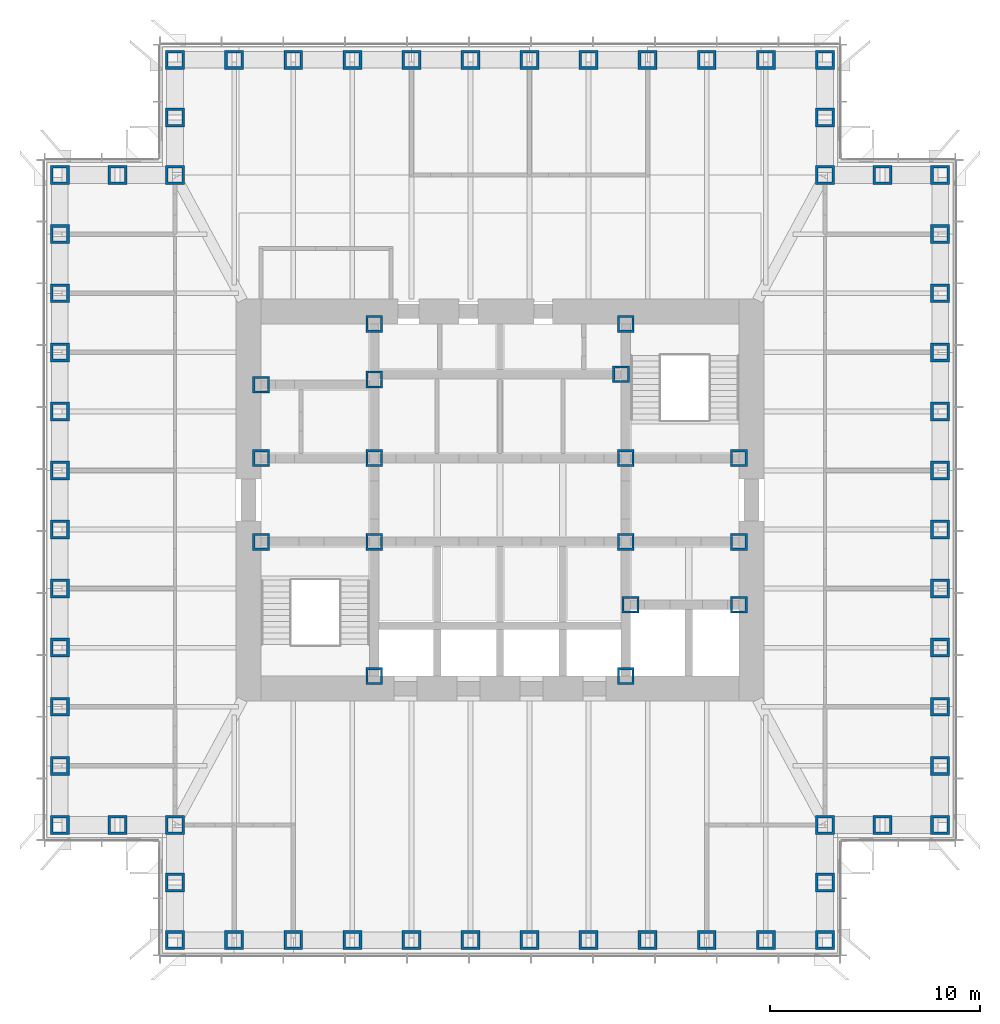
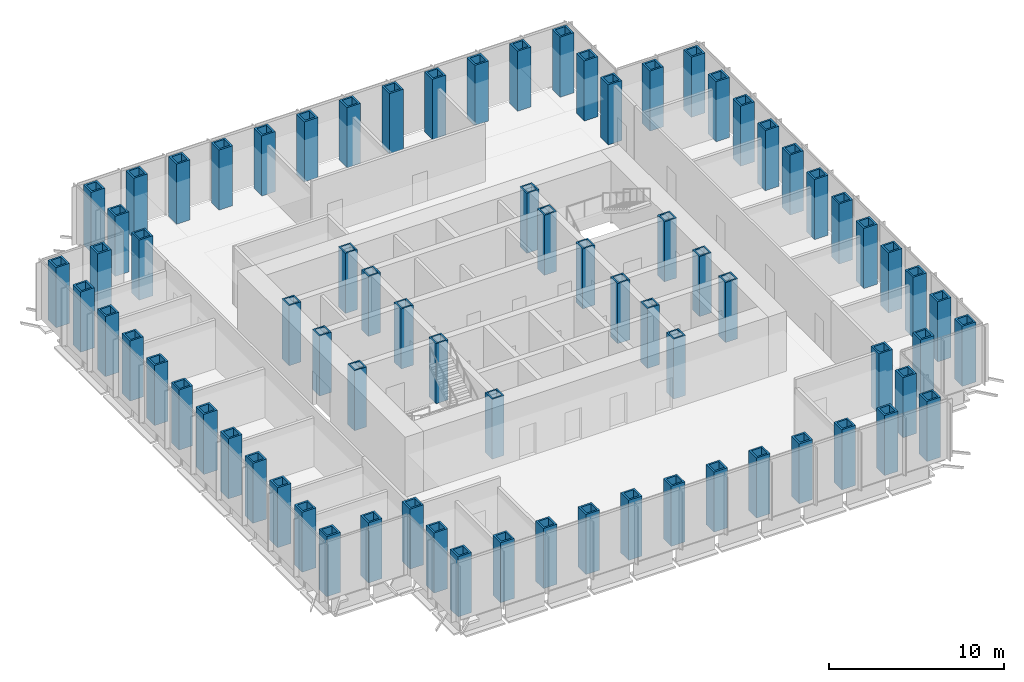
# One storey, part 1 of 17: 77 columns.
"""IFC4 building model written with IfcOpenShell, lengths in metres."""

from ifc_helpers import new_model, si_unit, direction, frame, origin, origin_2d, place, context, subcontext, project, spatial, hollow_rectangle, extrude, material, material_profile, profile_set, type_object, element, save


model = new_model("IFC4")

# Units and contexts
model_context = context("Model", 3, precision=1e-05, world=origin(), true_north=direction((0.0, 1.0)))
body_context = subcontext(model_context, "Body", "Model", "MODEL_VIEW")
ifc_project = project(units=[si_unit("LENGTHUNIT", "METRE"), si_unit("AREAUNIT", "SQUARE_METRE"), si_unit("VOLUMEUNIT", "CUBIC_METRE"), si_unit("PLANEANGLEUNIT", "RADIAN"), si_unit("MASSUNIT", "GRAM", prefix="KILO")], contexts=[model_context])

# Site, building, storey
site_placement = place(None, origin())
site = spatial("IfcSite", under=ifc_project, at=site_placement, CompositionType="ELEMENT")
building_placement = place(site_placement, origin())
building = spatial("IfcBuilding", under=site, at=building_placement, Name="Daluyong Arena Tower", CompositionType="ELEMENT")
storey_placement = place(building_placement, frame((0.0, 0.0, 185.5)))
storey = spatial("IfcBuildingStorey", under=building, at=storey_placement, Name="L41", CompositionType="ELEMENT", Elevation=185.5)

# Columns
ifc_material_1 = material(Name="Steel ASTM A572 Grade 50", Category="steel")
ifc_material_profile_1 = material_profile(ifc_material_1, hollow_rectangle(XDim=0.800048828125, YDim=0.800048828125, WallThickness=0.1, at=origin_2d()))
ifc_profile_set_1 = profile_set([ifc_material_profile_1], Name="Steel ASTM A572 Grade 50")
column_type_1 = type_object("IfcColumnType", Name="Core boundary column BX800X100", PredefinedType="COLUMN", material=ifc_profile_set_1)
for number, where, z_axis, x_axis, name in (
    (1, (44.60009765625, 78.0, 0.0), (0.0, 0.0, 1.0), (1.0, 0.0, 0.0), "core boundary column BC2"),
    (2, (44.60009765625, 82.0, 0.0), (0.0, 0.0, 1.0), (1.0, 0.0, 0.0), "core boundary column BC2"),
    (3, (44.60009765625, 85.5, 0.0), (0.0, 0.0, 1.0), (1.0, 0.0, 0.0), "core boundary column BC2"),
    (4, (50.0, 71.60009765625, 0.0), (0.0, 0.0, 1.0), (1.0, 0.0, 0.0), "core boundary column BC2"),
    (5, (50.0, 78.0, 0.0), (0.0, 0.0, 1.0), (1.0, 0.0, 0.0), "core boundary column BC2"),
    (6, (50.0, 82.0, 0.0), (0.0, 0.0, 1.0), (1.0, 0.0, 0.0), "core boundary column BC2"),
    (7, (50.0, 85.75, 0.0), (0.0, 0.0, 1.0), (1.0, 0.0, 0.0), "core boundary column BC2"),
    (8, (50.0, 88.39990234375, 0.0), (0.0, 0.0, 1.0), (1.0, 0.0, 0.0), "core boundary column BC2"),
    (9, (61.77490234375, 86.0, 0.0), (0.0, 0.0, 1.0), (1.0, 0.0, 0.0), "core boundary column BC2"),
    (10, (62.0, 71.60009765625, 0.0), (0.0, 0.0, 1.0), (1.0, 0.0, 0.0), "core boundary column BC2"),
    (11, (62.0, 78.0, 0.0), (0.0, 0.0, 1.0), (1.0, 0.0, 0.0), "core boundary column BC2"),
    (12, (62.0, 82.0, 0.0), (0.0, 0.0, 1.0), (1.0, 0.0, 0.0), "core boundary column BC2"),
    (13, (62.0, 88.39990234375, 0.0), (0.0, 0.0, 1.0), (1.0, 0.0, 0.0), "core boundary column BC2"),
    (14, (62.22509765625, 75.0, 0.0), (0.0, 0.0, 1.0), (1.0, 0.0, 0.0), "core boundary column BC2"),
    (15, (67.39990234375, 75.0, 0.0), (0.0, 0.0, 1.0), (1.0, 0.0, 0.0), "core boundary column BC2"),
    (16, (67.39990234375, 78.0, 0.0), (0.0, 0.0, 1.0), (1.0, 0.0, 0.0), "core boundary column BC2"),
    (17, (67.39990234375, 82.0, 0.0), (0.0, 0.0, 1.0), (1.0, 0.0, 0.0), "core boundary column BC2"),
):
    element("IfcColumn", number, at=place(storey_placement, frame(where, z_axis=z_axis, x_axis=x_axis)), inside=storey, type_object=column_type_1, Name=name, PredefinedType="COLUMN", context=body_context, shape_type="SweptSolid", body=[
        extrude(hollow_rectangle(XDim=0.800048828125, YDim=0.800048828125, WallThickness=0.1, at=origin_2d()), origin(), (0.0, 0.0, 1.0), 4.199951171875),
    ])
ifc_material_2 = material(Name="Steel ASTM A588 Grade 50", Category="steel")
ifc_material_profile_2 = material_profile(ifc_material_2, hollow_rectangle(XDim=0.89990234375, YDim=0.89990234375, WallThickness=0.12, at=origin_2d()))
ifc_profile_set_2 = profile_set([ifc_material_profile_2], Name="Steel ASTM A588 Grade 50")
column_type_2 = type_object("IfcColumnType", Name="Tube column BX900X120 BX900X120", PredefinedType="COLUMN", material=ifc_profile_set_2)
for number, where, z_axis, x_axis, name in (
    (18, (40.5, 59.0, 0.0), (0.0, 0.0, 1.0), (1.0, 0.0, 0.0), "tube column bx900x120 TC4"),
    (19, (43.318115234375, 59.0, 0.0), (0.0, 0.0, 1.0), (1.0, 0.0, 0.0), "tube column bx900x120 TC4"),
    (20, (46.136474609375, 59.0, 0.0), (0.0, 0.0, 1.0), (1.0, 0.0, 0.0), "tube column bx900x120 TC4"),
    (21, (48.95458984375, 59.0, 0.0), (0.0, 0.0, 1.0), (1.0, 0.0, 0.0), "tube column bx900x120 TC4"),
    (22, (51.772705078125, 59.0, 0.0), (0.0, 0.0, 1.0), (1.0, 0.0, 0.0), "tube column bx900x120 TC4"),
    (23, (54.5908203125, 59.0, 0.0), (0.0, 0.0, 1.0), (1.0, 0.0, 0.0), "tube column bx900x120 TC4"),
    (24, (57.4091796875, 59.0, 0.0), (0.0, 0.0, 1.0), (1.0, 0.0, 0.0), "tube column bx900x120 TC4"),
    (25, (60.227294921875, 59.0, 0.0), (0.0, 0.0, 1.0), (1.0, 0.0, 0.0), "tube column bx900x120 TC4"),
    (26, (63.04541015625, 59.0, 0.0), (0.0, 0.0, 1.0), (1.0, 0.0, 0.0), "tube column bx900x120 TC4"),
    (27, (65.863525390625, 59.0, 0.0), (0.0, 0.0, 1.0), (1.0, 0.0, 0.0), "tube column bx900x120 TC4"),
    (28, (68.681884765625, 59.0, 0.0), (0.0, 0.0, 1.0), (1.0, 0.0, 0.0), "tube column bx900x120 TC4"),
    (29, (71.5, 59.0, 0.0), (0.0, 0.0, 1.0), (0.0, 1.0, 0.0), "tube column bx900x120 TC4"),
    (30, (71.5, 61.75, 0.0), (0.0, 0.0, 1.0), (0.0, 1.0, 0.0), "tube column bx900x120 TC4"),
    (31, (71.5, 64.5, 0.0), (0.0, 0.0, 1.0), (1.0, 0.0, 0.0), "tube column bx900x120 TC4"),
    (32, (74.25, 64.5, 0.0), (0.0, 0.0, 1.0), (1.0, 0.0, 0.0), "tube column bx900x120 TC4"),
    (33, (77.0, 64.5, 0.0), (0.0, 0.0, 1.0), (0.0, 1.0, 0.0), "tube column bx900x120 TC4"),
    (34, (77.0, 67.318115234375, 0.0), (0.0, 0.0, 1.0), (0.0, 1.0, 0.0), "tube column bx900x120 TC4"),
    (35, (77.0, 70.136474609375, 0.0), (0.0, 0.0, 1.0), (0.0, 1.0, 0.0), "tube column bx900x120 TC4"),
    (36, (77.0, 72.95458984375, 0.0), (0.0, 0.0, 1.0), (0.0, 1.0, 0.0), "tube column bx900x120 TC4"),
    (37, (77.0, 75.772705078125, 0.0), (0.0, 0.0, 1.0), (0.0, 1.0, 0.0), "tube column bx900x120 TC4"),
    (38, (77.0, 78.5908203125, 0.0), (0.0, 0.0, 1.0), (0.0, 1.0, 0.0), "tube column bx900x120 TC4"),
    (39, (77.0, 81.4091796875, 0.0), (0.0, 0.0, 1.0), (0.0, 1.0, 0.0), "tube column bx900x120 TC4"),
    (40, (77.0, 84.227294921875, 0.0), (0.0, 0.0, 1.0), (0.0, 1.0, 0.0), "tube column bx900x120 TC4"),
    (41, (77.0, 87.04541015625, 0.0), (0.0, 0.0, 1.0), (0.0, 1.0, 0.0), "tube column bx900x120 TC4"),
    (42, (77.0, 89.863525390625, 0.0), (0.0, 0.0, 1.0), (0.0, 1.0, 0.0), "tube column bx900x120 TC4"),
    (43, (77.0, 92.681884765625, 0.0), (0.0, 0.0, 1.0), (0.0, 1.0, 0.0), "tube column bx900x120 TC4"),
    (44, (77.0, 95.5, 0.0), (0.0, 0.0, 1.0), (1.0, 0.0, 0.0), "tube column bx900x120 TC4"),
    (45, (74.25, 95.5, 0.0), (0.0, 0.0, 1.0), (1.0, 0.0, 0.0), "tube column bx900x120 TC4"),
    (46, (71.5, 95.5, 0.0), (0.0, 0.0, 1.0), (0.0, 1.0, 0.0), "tube column bx900x120 TC4"),
    (47, (71.5, 98.25, 0.0), (0.0, 0.0, 1.0), (0.0, 1.0, 0.0), "tube column bx900x120 TC4"),
    (48, (71.5, 101.0, 0.0), (0.0, 0.0, 1.0), (1.0, 0.0, 0.0), "tube column bx900x120 TC4"),
    (49, (68.681884765625, 101.0, 0.0), (0.0, 0.0, 1.0), (1.0, 0.0, 0.0), "tube column bx900x120 TC4"),
    (50, (65.863525390625, 101.0, 0.0), (0.0, 0.0, 1.0), (1.0, 0.0, 0.0), "tube column bx900x120 TC4"),
    (51, (63.04541015625, 101.0, 0.0), (0.0, 0.0, 1.0), (1.0, 0.0, 0.0), "tube column bx900x120 TC4"),
    (52, (60.227294921875, 101.0, 0.0), (0.0, 0.0, 1.0), (1.0, 0.0, 0.0), "tube column bx900x120 TC4"),
    (53, (57.4091796875, 101.0, 0.0), (0.0, 0.0, 1.0), (1.0, 0.0, 0.0), "tube column bx900x120 TC4"),
    (54, (54.5908203125, 101.0, 0.0), (0.0, 0.0, 1.0), (1.0, 0.0, 0.0), "tube column bx900x120 TC4"),
    (55, (51.772705078125, 101.0, 0.0), (0.0, 0.0, 1.0), (1.0, 0.0, 0.0), "tube column bx900x120 TC4"),
    (56, (48.95458984375, 101.0, 0.0), (0.0, 0.0, 1.0), (1.0, 0.0, 0.0), "tube column bx900x120 TC4"),
    (57, (46.136474609375, 101.0, 0.0), (0.0, 0.0, 1.0), (1.0, 0.0, 0.0), "tube column bx900x120 TC4"),
    (58, (43.318115234375, 101.0, 0.0), (0.0, 0.0, 1.0), (1.0, 0.0, 0.0), "tube column bx900x120 TC4"),
    (59, (40.5, 101.0, 0.0), (0.0, 0.0, 1.0), (0.0, 1.0, 0.0), "tube column bx900x120 TC4"),
    (60, (40.5, 98.25, 0.0), (0.0, 0.0, 1.0), (0.0, 1.0, 0.0), "tube column bx900x120 TC4"),
    (61, (40.5, 95.5, 0.0), (0.0, 0.0, 1.0), (1.0, 0.0, 0.0), "tube column bx900x120 TC4"),
    (62, (37.75, 95.5, 0.0), (0.0, 0.0, 1.0), (1.0, 0.0, 0.0), "tube column bx900x120 TC4"),
    (63, (35.0, 95.5, 0.0), (0.0, 0.0, 1.0), (0.0, 1.0, 0.0), "tube column bx900x120 TC4"),
    (64, (35.0, 92.681884765625, 0.0), (0.0, 0.0, 1.0), (0.0, 1.0, 0.0), "tube column bx900x120 TC4"),
    (65, (35.0, 89.863525390625, 0.0), (0.0, 0.0, 1.0), (0.0, 1.0, 0.0), "tube column bx900x120 TC4"),
    (66, (35.0, 87.04541015625, 0.0), (0.0, 0.0, 1.0), (0.0, 1.0, 0.0), "tube column bx900x120 TC4"),
    (67, (35.0, 84.227294921875, 0.0), (0.0, 0.0, 1.0), (0.0, 1.0, 0.0), "tube column bx900x120 TC4"),
    (68, (35.0, 81.4091796875, 0.0), (0.0, 0.0, 1.0), (0.0, 1.0, 0.0), "tube column bx900x120 TC4"),
    (69, (35.0, 78.5908203125, 0.0), (0.0, 0.0, 1.0), (0.0, 1.0, 0.0), "tube column bx900x120 TC4"),
    (70, (35.0, 75.772705078125, 0.0), (0.0, 0.0, 1.0), (0.0, 1.0, 0.0), "tube column bx900x120 TC4"),
    (71, (35.0, 72.95458984375, 0.0), (0.0, 0.0, 1.0), (0.0, 1.0, 0.0), "tube column bx900x120 TC4"),
    (72, (35.0, 70.136474609375, 0.0), (0.0, 0.0, 1.0), (0.0, 1.0, 0.0), "tube column bx900x120 TC4"),
    (73, (35.0, 67.318115234375, 0.0), (0.0, 0.0, 1.0), (0.0, 1.0, 0.0), "tube column bx900x120 TC4"),
    (74, (35.0, 64.5, 0.0), (0.0, 0.0, 1.0), (1.0, 0.0, 0.0), "tube column bx900x120 TC4"),
    (75, (37.75, 64.5, 0.0), (0.0, 0.0, 1.0), (1.0, 0.0, 0.0), "tube column bx900x120 TC4"),
    (76, (40.5, 64.5, 0.0), (0.0, 0.0, 1.0), (0.0, 1.0, 0.0), "tube column bx900x120 TC4"),
    (77, (40.5, 61.75, 0.0), (0.0, 0.0, 1.0), (0.0, 1.0, 0.0), "tube column bx900x120 TC4"),
):
    element("IfcColumn", number, at=place(storey_placement, frame(where, z_axis=z_axis, x_axis=x_axis)), inside=storey, type_object=column_type_2, Name=name, PredefinedType="COLUMN", context=body_context, shape_type="SweptSolid", body=[
        extrude(hollow_rectangle(XDim=0.89990234375, YDim=0.89990234375, WallThickness=0.12, at=origin_2d()), origin(), (0.0, 0.0, 1.0), 4.199951171875),
    ])

save(model, "model.ifc")
